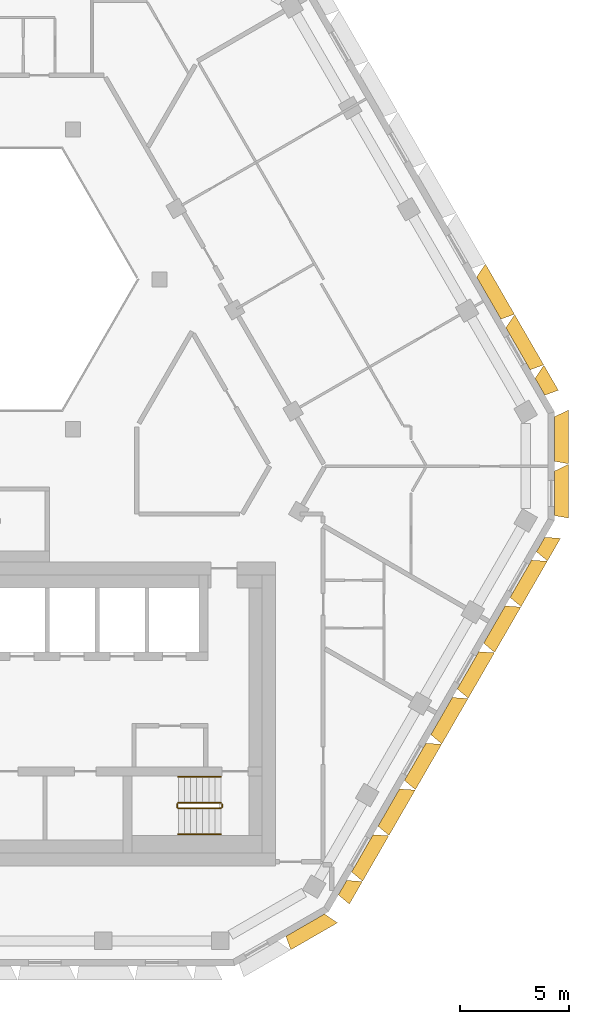
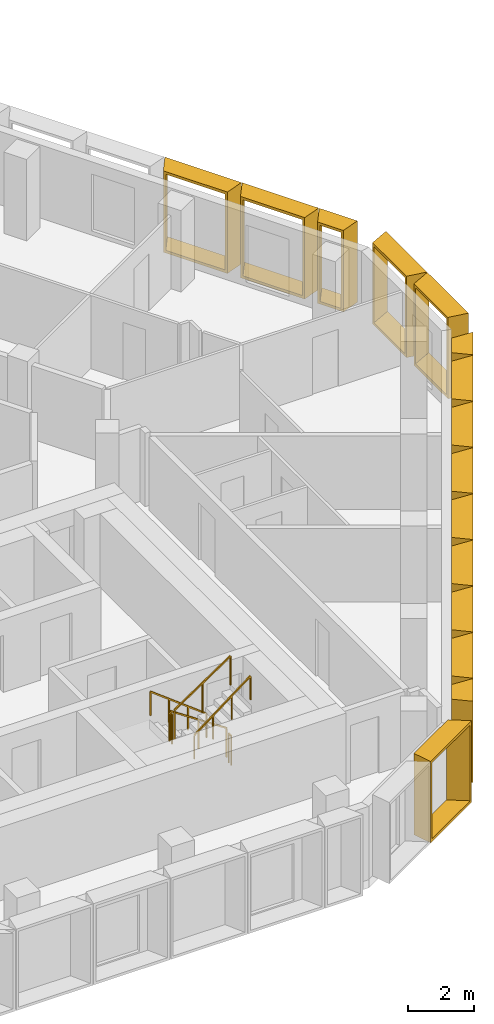
# One storey, part 14 of 15: 15 shading devices, 6 railings.
"""IFC4 building model written with IfcOpenShell, lengths in metres."""

from ifc_helpers import new_model, entity, si_unit, direction, frame, origin, origin_2d, place, context, subcontext, project, spatial, rectangle, extrude, source, transform, mapped, material, type_object, type_shapes, element, save


model = new_model("IFC4")

# Units and contexts
model_context = context("Model", 3, precision=1e-05, world=origin(), true_north=direction((0.0, 1.0)))
body_context = subcontext(model_context, "Body", "Model", "MODEL_VIEW")
ifc_project = project(units=[si_unit("LENGTHUNIT", "METRE"), si_unit("AREAUNIT", "SQUARE_METRE"), si_unit("VOLUMEUNIT", "CUBIC_METRE"), si_unit("PLANEANGLEUNIT", "RADIAN"), si_unit("MASSUNIT", "GRAM", prefix="KILO")], contexts=[model_context])

# Site, building, storey
site_placement = place(None, origin())
site = spatial("IfcSite", under=ifc_project, at=site_placement, CompositionType="ELEMENT")
building_placement = place(site_placement, origin())
building = spatial("IfcBuilding", under=site, at=building_placement, Name="Beryl Residences", CompositionType="ELEMENT")
storey_placement = place(building_placement, frame((0.0, 0.0, 163.199951171875)))
storey = spatial("IfcBuildingStorey", under=building, at=storey_placement, Name="L49", CompositionType="ELEMENT", Elevation=163.199951171875)

# Shading devices
ifc_material_1 = material(Name="Aluminium pale anodised", Category="aluminium")
shading_device_type_1 = type_object("IfcShadingDeviceType", Name="FR122-65C OUTER SKIN frame 650 mm deep, splay 10/26 deg, 1220 x 3000 mm cell", PredefinedType="USERDEFINED", material=ifc_material_1)
cartesian_point_1 = entity("IfcCartesianPoint", [-0.384033203125, 0.0])
cartesian_point_2 = entity("IfcCartesianPoint", [-0.302734375, 0.10009765625])
cartesian_point_3 = entity("IfcCartesianPoint", [-0.49853515625, 0.0])
cartesian_point_4 = entity("IfcCartesianPoint", [-0.41748046875, 0.10009765625])
shared_shape_1 = source(origin(), body_context, "Body", "SweptSolid", [
    entity("IfcExtrudedAreaSolidTapered", entity("IfcArbitraryProfileDefWithVoids", "AREA", None, entity("IfcPolyline", [cartesian_point_1, entity("IfcCartesianPoint", [0.384033203125, 0.0]), entity("IfcCartesianPoint", [0.384033203125, 3.0]), entity("IfcCartesianPoint", [-0.384033203125, 3.0]), cartesian_point_1]), [entity("IfcPolyline", [cartesian_point_2, entity("IfcCartesianPoint", [0.294921875, 0.10009765625]), entity("IfcCartesianPoint", [0.294921875, 2.89990234375]), entity("IfcCartesianPoint", [-0.302734375, 2.89990234375]), cartesian_point_2])]), entity("IfcAxis2Placement3D", entity("IfcCartesianPoint", [0.0, 0.0, 0.0]), entity("IfcDirection", [0.0, 1.0, 0.0]), entity("IfcDirection", [-1.0, 0.0, 0.0])), entity("IfcDirection", [0.0, 0.0, 1.0]), 0.64990234375, entity("IfcArbitraryProfileDefWithVoids", "AREA", None, entity("IfcPolyline", [cartesian_point_3, entity("IfcCartesianPoint", [0.700927734375, 0.0]), entity("IfcCartesianPoint", [0.700927734375, 3.0]), entity("IfcCartesianPoint", [-0.49853515625, 3.0]), cartesian_point_3]), [entity("IfcPolyline", [cartesian_point_4, entity("IfcCartesianPoint", [0.612060546875, 0.10009765625]), entity("IfcCartesianPoint", [0.612060546875, 2.89990234375]), entity("IfcCartesianPoint", [-0.41748046875, 2.89990234375]), cartesian_point_4])])),
])
type_shapes(shading_device_type_1, [shared_shape_1])
for number, where, z_axis, x_axis, name in (
    (1, (16.39697265625, -19.9990234375, 0.0), (0.0, 0.0, 1.0), (-0.5, -0.866025403784, 0.0), "FR122-65C frame L49 SE 1"),
    (2, (25.51611328125, -4.202880859375, 0.0), (0.0, 0.0, 1.0), (-0.5, -0.866025403784, 0.0), "FR122-65C frame L49 SE 9"),
):
    element("IfcShadingDevice", number, at=place(storey_placement, frame(where, z_axis=z_axis, x_axis=x_axis)), inside=storey, type_object=shading_device_type_1, Name=name, ObjectType="OUTER SKIN", PredefinedType="USERDEFINED", context=body_context, shape_type="MappedRepresentation", body=[
        mapped(shared_shape_1, transform((0.0, 0.0, 0.0))),
    ])
ifc_material_2 = material(Name="Aluminium pale anodised", Category="aluminium")
shading_device_type_2 = type_object("IfcShadingDeviceType", Name="FR135-65C OUTER SKIN frame 650 mm deep, splay 10/26 deg, 1350 x 3000 mm cell", PredefinedType="USERDEFINED", material=ifc_material_2)
cartesian_point_5 = entity("IfcCartesianPoint", [-0.448974609375, 0.0])
cartesian_point_6 = entity("IfcCartesianPoint", [-0.36767578125, 0.10009765625])
cartesian_point_7 = entity("IfcCartesianPoint", [-0.563720703125, 0.0])
cartesian_point_8 = entity("IfcCartesianPoint", [-0.482421875, 0.10009765625])
shared_shape_2 = source(origin(), body_context, "Body", "SweptSolid", [
    entity("IfcExtrudedAreaSolidTapered", entity("IfcArbitraryProfileDefWithVoids", "AREA", None, entity("IfcPolyline", [cartesian_point_5, entity("IfcCartesianPoint", [0.448974609375, 0.0]), entity("IfcCartesianPoint", [0.448974609375, 3.0]), entity("IfcCartesianPoint", [-0.448974609375, 3.0]), cartesian_point_5]), [entity("IfcPolyline", [cartesian_point_6, entity("IfcCartesianPoint", [0.360107421875, 0.10009765625]), entity("IfcCartesianPoint", [0.360107421875, 2.89990234375]), entity("IfcCartesianPoint", [-0.36767578125, 2.89990234375]), cartesian_point_6])]), entity("IfcAxis2Placement3D", entity("IfcCartesianPoint", [0.0, 0.0, 0.0]), entity("IfcDirection", [0.0, 1.0, 0.0]), entity("IfcDirection", [-1.0, 0.0, 0.0])), entity("IfcDirection", [0.0, 0.0, 1.0]), 0.64990234375, entity("IfcArbitraryProfileDefWithVoids", "AREA", None, entity("IfcPolyline", [cartesian_point_7, entity("IfcCartesianPoint", [0.76611328125, 0.0]), entity("IfcCartesianPoint", [0.76611328125, 3.0]), entity("IfcCartesianPoint", [-0.563720703125, 3.0]), cartesian_point_7]), [entity("IfcPolyline", [cartesian_point_8, entity("IfcCartesianPoint", [0.677001953125, 0.10009765625]), entity("IfcCartesianPoint", [0.677001953125, 2.89990234375]), entity("IfcCartesianPoint", [-0.482421875, 2.89990234375]), cartesian_point_8])])),
])
type_shapes(shading_device_type_2, [shared_shape_2])
shading_device_placement = place(storey_placement, frame((25.485107421875, 3.056884765625, 0.0), z_axis=(0.0, 0.0, 1.0), x_axis=(0.5, -0.866025403784, 0.0)))
element("IfcShadingDevice", 3, at=shading_device_placement, inside=storey, type_object=shading_device_type_2, Name="FR135-65C frame L49 NE 1", ObjectType="OUTER SKIN", PredefinedType="USERDEFINED", context=body_context, shape_type="MappedRepresentation", body=[
    mapped(shared_shape_2, transform((0.0, 0.0, 0.0))),
])
ifc_material_3 = material(Name="Aluminium pale anodised", Category="aluminium")
shading_device_type_3 = type_object("IfcShadingDeviceType", Name="FR243-65C OUTER SKIN frame 650 mm deep, splay 10/26 deg, 2430 x 3000 mm cell", PredefinedType="USERDEFINED", material=ifc_material_3)
cartesian_point_9 = entity("IfcCartesianPoint", [-0.989013671875, 0.0])
cartesian_point_10 = entity("IfcCartesianPoint", [-0.90771484375, 0.10009765625])
cartesian_point_11 = entity("IfcCartesianPoint", [-1.103515625, 0.0])
cartesian_point_12 = entity("IfcCartesianPoint", [-1.0224609375, 0.10009765625])
shared_shape_3 = source(origin(), body_context, "Body", "SweptSolid", [
    entity("IfcExtrudedAreaSolidTapered", entity("IfcArbitraryProfileDefWithVoids", "AREA", None, entity("IfcPolyline", [cartesian_point_9, entity("IfcCartesianPoint", [0.989013671875, 0.0]), entity("IfcCartesianPoint", [0.989013671875, 3.0]), entity("IfcCartesianPoint", [-0.989013671875, 3.0]), cartesian_point_9]), [entity("IfcPolyline", [cartesian_point_10, entity("IfcCartesianPoint", [0.89990234375, 0.10009765625]), entity("IfcCartesianPoint", [0.89990234375, 2.89990234375]), entity("IfcCartesianPoint", [-0.90771484375, 2.89990234375]), cartesian_point_10])]), entity("IfcAxis2Placement3D", entity("IfcCartesianPoint", [0.0, 0.0, 0.0]), entity("IfcDirection", [0.0, 1.0, 0.0]), entity("IfcDirection", [-1.0, 0.0, 0.0])), entity("IfcDirection", [0.0, 0.0, 1.0]), 0.64990234375, entity("IfcArbitraryProfileDefWithVoids", "AREA", None, entity("IfcPolyline", [cartesian_point_11, entity("IfcCartesianPoint", [1.305908203125, 0.0]), entity("IfcCartesianPoint", [1.305908203125, 3.0]), entity("IfcCartesianPoint", [-1.103515625, 3.0]), cartesian_point_11]), [entity("IfcPolyline", [cartesian_point_12, entity("IfcCartesianPoint", [1.217041015625, 0.10009765625]), entity("IfcCartesianPoint", [1.217041015625, 2.89990234375]), entity("IfcCartesianPoint", [-1.0224609375, 2.89990234375]), cartesian_point_12])])),
])
type_shapes(shading_device_type_3, [shared_shape_3])
for number, where, z_axis, x_axis, name in (
    (4, (17.30908203125, -18.4189453125, 0.0), (0.0, 0.0, 1.0), (-0.5, -0.866025403784, 0.0), "FR243-65C frame L49 SE 2"),
    (5, (18.52490234375, -16.31298828125, 0.0), (0.0, 0.0, 1.0), (-0.5, -0.866025403784, 0.0), "FR243-65C frame L49 SE 3"),
    (6, (19.740966796875, -14.20703125, 0.0), (0.0, 0.0, 1.0), (-0.5, -0.866025403784, 0.0), "FR243-65C frame L49 SE 4"),
    (7, (20.95703125, -12.10107421875, 0.0), (0.0, 0.0, 1.0), (-0.5, -0.866025403784, 0.0), "FR243-65C frame L49 SE 5"),
    (8, (22.172119140625, -9.9951171875, 0.0), (0.0, 0.0, 1.0), (-0.5, -0.866025403784, 0.0), "FR243-65C frame L49 SE 6"),
    (9, (23.387939453125, -7.888916015625, 0.0), (0.0, 0.0, 1.0), (-0.5, -0.866025403784, 0.0), "FR243-65C frame L49 SE 7"),
    (10, (24.60400390625, -5.781982421875, 0.0), (0.0, 0.0, 1.0), (-0.5, -0.866025403784, 0.0), "FR243-65C frame L49 SE 8"),
):
    element("IfcShadingDevice", number, at=place(storey_placement, frame(where, z_axis=z_axis, x_axis=x_axis)), inside=storey, type_object=shading_device_type_3, Name=name, ObjectType="OUTER SKIN", PredefinedType="USERDEFINED", context=body_context, shape_type="MappedRepresentation", body=[
        mapped(shared_shape_3, transform((0.0, 0.0, 0.0))),
    ])
ifc_material_4 = material(Name="Aluminium pale anodised", Category="aluminium")
shading_device_type_4 = type_object("IfcShadingDeviceType", Name="FR250-65C OUTER SKIN frame 650 mm deep, splay 10/26 deg, 2500 x 3000 mm cell", PredefinedType="USERDEFINED", material=ifc_material_4)
cartesian_point_13 = entity("IfcCartesianPoint", [-1.02392578125, 0.0])
cartesian_point_14 = entity("IfcCartesianPoint", [-0.94287109375, 0.10009765625])
cartesian_point_15 = entity("IfcCartesianPoint", [-1.138671875, 0.0])
cartesian_point_16 = entity("IfcCartesianPoint", [-1.057373046875, 0.10009765625])
shared_shape_4 = source(origin(), body_context, "Body", "SweptSolid", [
    entity("IfcExtrudedAreaSolidTapered", entity("IfcArbitraryProfileDefWithVoids", "AREA", None, entity("IfcPolyline", [cartesian_point_13, entity("IfcCartesianPoint", [1.02392578125, 0.0]), entity("IfcCartesianPoint", [1.02392578125, 3.0]), entity("IfcCartesianPoint", [-1.02392578125, 3.0]), cartesian_point_13]), [entity("IfcPolyline", [cartesian_point_14, entity("IfcCartesianPoint", [0.93505859375, 0.10009765625]), entity("IfcCartesianPoint", [0.93505859375, 2.89990234375]), entity("IfcCartesianPoint", [-0.94287109375, 2.89990234375]), cartesian_point_14])]), entity("IfcAxis2Placement3D", entity("IfcCartesianPoint", [0.0, 0.0, 0.0]), entity("IfcDirection", [0.0, 1.0, 0.0]), entity("IfcDirection", [-1.0, 0.0, 0.0])), entity("IfcDirection", [0.0, 0.0, 1.0]), 0.64990234375, entity("IfcArbitraryProfileDefWithVoids", "AREA", None, entity("IfcPolyline", [cartesian_point_15, entity("IfcCartesianPoint", [1.341064453125, 0.0]), entity("IfcCartesianPoint", [1.341064453125, 3.0]), entity("IfcCartesianPoint", [-1.138671875, 3.0]), cartesian_point_15]), [entity("IfcPolyline", [cartesian_point_16, entity("IfcCartesianPoint", [1.251953125, 0.10009765625]), entity("IfcCartesianPoint", [1.251953125, 2.89990234375]), entity("IfcCartesianPoint", [-1.057373046875, 2.89990234375]), cartesian_point_16])])),
])
type_shapes(shading_device_type_4, [shared_shape_4])
for number, where, z_axis, x_axis, name in (
    (11, (14.677978515625, -21.72509765625, 0.0), (0.0, 0.0, 1.0), (-0.866025403784, -0.5, 0.0), "FR250-65C frame L49 S-SE 2"),
    (12, (26.154052734375, -1.85009765625, 0.0), (0.0, 0.0, 1.0), (0.0, -1.0, 0.0), "FR250-65C frame L49 SE-NE 1"),
    (13, (26.154052734375, 0.64990234375, 0.0), (0.0, 0.0, 1.0), (0.0, -1.0, 0.0), "FR250-65C frame L49 SE-NE 2"),
):
    element("IfcShadingDevice", number, at=place(storey_placement, frame(where, z_axis=z_axis, x_axis=x_axis)), inside=storey, type_object=shading_device_type_4, Name=name, ObjectType="OUTER SKIN", PredefinedType="USERDEFINED", context=body_context, shape_type="MappedRepresentation", body=[
        mapped(shared_shape_4, transform((0.0, 0.0, 0.0))),
    ])
ifc_material_5 = material(Name="Aluminium pale anodised", Category="aluminium")
shading_device_type_5 = type_object("IfcShadingDeviceType", Name="FR269-65C OUTER SKIN frame 650 mm deep, splay 10/26 deg, 2690 x 3000 mm cell", PredefinedType="USERDEFINED", material=ifc_material_5)
cartesian_point_17 = entity("IfcCartesianPoint", [-1.118896484375, 0.0])
cartesian_point_18 = entity("IfcCartesianPoint", [-1.037841796875, 0.10009765625])
cartesian_point_19 = entity("IfcCartesianPoint", [-1.233642578125, 0.0])
cartesian_point_20 = entity("IfcCartesianPoint", [-1.15234375, 0.10009765625])
shared_shape_5 = source(origin(), body_context, "Body", "SweptSolid", [
    entity("IfcExtrudedAreaSolidTapered", entity("IfcArbitraryProfileDefWithVoids", "AREA", None, entity("IfcPolyline", [cartesian_point_17, entity("IfcCartesianPoint", [1.118896484375, 0.0]), entity("IfcCartesianPoint", [1.118896484375, 3.0]), entity("IfcCartesianPoint", [-1.118896484375, 3.0]), cartesian_point_17]), [entity("IfcPolyline", [cartesian_point_18, entity("IfcCartesianPoint", [1.030029296875, 0.10009765625]), entity("IfcCartesianPoint", [1.030029296875, 2.89990234375]), entity("IfcCartesianPoint", [-1.037841796875, 2.89990234375]), cartesian_point_18])]), entity("IfcAxis2Placement3D", entity("IfcCartesianPoint", [0.0, 0.0, 0.0]), entity("IfcDirection", [0.0, 1.0, 0.0]), entity("IfcDirection", [-1.0, 0.0, 0.0])), entity("IfcDirection", [0.0, 0.0, 1.0]), 0.64990234375, entity("IfcArbitraryProfileDefWithVoids", "AREA", None, entity("IfcPolyline", [cartesian_point_19, entity("IfcCartesianPoint", [1.43603515625, 0.0]), entity("IfcCartesianPoint", [1.43603515625, 3.0]), entity("IfcCartesianPoint", [-1.233642578125, 3.0]), cartesian_point_19]), [entity("IfcPolyline", [cartesian_point_20, entity("IfcCartesianPoint", [1.346923828125, 0.10009765625]), entity("IfcCartesianPoint", [1.346923828125, 2.89990234375]), entity("IfcCartesianPoint", [-1.15234375, 2.89990234375]), cartesian_point_20])])),
])
type_shapes(shading_device_type_5, [shared_shape_5])
for number, where, z_axis, x_axis, name in (
    (14, (24.47607421875, 4.805908203125, 0.0), (0.0, 0.0, 1.0), (0.5, -0.866025403784, 0.0), "FR269-65C frame L49 NE 2"),
    (15, (23.1298828125, 7.136962890625, 0.0), (0.0, 0.0, 1.0), (0.5, -0.866025403784, 0.0), "FR269-65C frame L49 NE 3"),
):
    element("IfcShadingDevice", number, at=place(storey_placement, frame(where, z_axis=z_axis, x_axis=x_axis)), inside=storey, type_object=shading_device_type_5, Name=name, ObjectType="OUTER SKIN", PredefinedType="USERDEFINED", context=body_context, shape_type="MappedRepresentation", body=[
        mapped(shared_shape_5, transform((0.0, 0.0, 0.0))),
    ])

# Railings
ifc_material_6 = material(Name="Stainless steel balustrade with glass infill", Category="steel")
railing_type_1 = type_object("IfcRailingType", Name="SG1 stair guard 1100 mm", PredefinedType="GUARDRAIL", material=ifc_material_6)
railing_1_placement = place(storey_placement, frame((10.800048828125, -16.10009765625, 0.1875)))
element("IfcRailing", 16, at=railing_1_placement, inside=storey, type_object=railing_type_1, Name="L49 ST-3 stair guard 1", PredefinedType="GUARDRAIL", context=body_context, shape_type="SweptSolid", body=[
    extrude(rectangle(XDim=0.048095703125, YDim=0.048095703125, at=origin_2d()), frame((0.0, 0.0, 1.076171875), z_axis=(-0.830902050051, 0.0, 0.556418712142), x_axis=(0.0, -1.0, 0.0)), (0.0, 0.0, 1.0), 2.35888671875),
    extrude(rectangle(XDim=0.0419921875, YDim=0.0419921875, at=origin_2d()), origin(), (0.0, 0.0, 1.0), 1.052001953125),
    extrude(rectangle(XDim=0.0419921875, YDim=0.0419921875, at=origin_2d()), frame((-0.97998046875, 0.0, 0.65625)), (0.0, 0.0, 1.0), 1.052001953125),
    extrude(rectangle(XDim=0.0419921875, YDim=0.0419921875, at=origin_2d()), frame((-1.9599609375, 0.0, 1.3125)), (0.0, 0.0, 1.0), 1.052001953125),
])
railing_2_placement = place(storey_placement, frame((8.7900390625, -16.14990234375, 1.5)))
element("IfcRailing", 17, at=railing_2_placement, inside=storey, type_object=railing_type_1, Name="L49 ST-3 stair guard 2", PredefinedType="GUARDRAIL", context=body_context, shape_type="SweptSolid", body=[
    extrude(rectangle(XDim=0.048095703125, YDim=0.048095703125, at=origin_2d()), frame((0.0, 0.0, 1.076171875), z_axis=(0.0, -1.0, 0.0), x_axis=(1.0, 0.0, 0.0)), (0.0, 0.0, 1.0), 0.150146484375),
    extrude(rectangle(XDim=0.0419921875, YDim=0.0419921875, at=origin_2d()), origin(), (0.0, 0.0, 1.0), 1.052001953125),
    extrude(rectangle(XDim=0.0419921875, YDim=0.0419921875, at=origin_2d()), frame((0.0, -0.150146484375, 0.0)), (0.0, 0.0, 1.0), 1.052001953125),
])
railing_3_placement = place(storey_placement, frame((8.840087890625, -16.35009765625, 1.6875)))
element("IfcRailing", 18, at=railing_3_placement, inside=storey, type_object=railing_type_1, Name="L49 ST-3 stair guard 3", PredefinedType="GUARDRAIL", context=body_context, shape_type="SweptSolid", body=[
    extrude(rectangle(XDim=0.048095703125, YDim=0.048095703125, at=origin_2d()), frame((0.0, 0.0, 1.076171875), z_axis=(0.830902050051, 0.0, 0.556418712142), x_axis=(0.0, 1.0, 0.0)), (0.0, 0.0, 1.0), 2.35888671875),
    extrude(rectangle(XDim=0.0419921875, YDim=0.0419921875, at=origin_2d()), origin(), (0.0, 0.0, 1.0), 1.052001953125),
    extrude(rectangle(XDim=0.0419921875, YDim=0.0419921875, at=origin_2d()), frame((0.97998046875, 0.0, 0.65625)), (0.0, 0.0, 1.0), 1.052001953125),
    extrude(rectangle(XDim=0.0419921875, YDim=0.0419921875, at=origin_2d()), frame((1.9599609375, 0.0, 1.3125)), (0.0, 0.0, 1.0), 1.052001953125),
])
railing_4_placement = place(storey_placement, frame((10.85009765625, -16.14990234375, 0.0)))
element("IfcRailing", 19, at=railing_4_placement, inside=storey, type_object=railing_type_1, Name="L49 ST-3 stair guard 4", PredefinedType="GUARDRAIL", context=body_context, shape_type="SweptSolid", body=[
    extrude(rectangle(XDim=0.048095703125, YDim=0.048095703125, at=origin_2d()), frame((0.0, 0.0, 1.076171875), z_axis=(0.0, -1.0, 0.0), x_axis=(1.0, 0.0, 0.0)), (0.0, 0.0, 1.0), 0.150146484375),
    extrude(rectangle(XDim=0.0419921875, YDim=0.0419921875, at=origin_2d()), origin(), (0.0, 0.0, 1.0), 1.052001953125),
    extrude(rectangle(XDim=0.0419921875, YDim=0.0419921875, at=origin_2d()), frame((0.0, -0.150146484375, 0.0)), (0.0, 0.0, 1.0), 1.052001953125),
])
ifc_material_7 = material(Name="Stainless steel handrail", Category="steel")
railing_type_2 = type_object("IfcRailingType", Name="SRL1 stair handrail 900 mm", PredefinedType="HANDRAIL", material=ifc_material_7)
railing_5_placement = place(storey_placement, frame((10.800048828125, -14.89990234375, 0.1875)))
element("IfcRailing", 20, at=railing_5_placement, inside=storey, type_object=railing_type_2, Name="L49 ST-3 stair handrail 1", PredefinedType="HANDRAIL", context=body_context, shape_type="SweptSolid", body=[
    extrude(rectangle(XDim=0.048095703125, YDim=0.048095703125, at=origin_2d()), frame((0.0, 0.0, 0.8759765625), z_axis=(-0.794121922505, 0.0, 0.607758481798), x_axis=(0.0, -1.0, 0.0)), (0.0, 0.0, 1.0), 2.468017578125),
    extrude(rectangle(XDim=0.0419921875, YDim=0.0419921875, at=origin_2d()), origin(), (0.0, 0.0, 1.0), 0.851806640625),
    extrude(rectangle(XDim=0.0419921875, YDim=0.0419921875, at=origin_2d()), frame((-0.6533203125, 0.0, 0.5)), (0.0, 0.0, 1.0), 0.851806640625),
    extrude(rectangle(XDim=0.0419921875, YDim=0.0419921875, at=origin_2d()), frame((-1.306640625, 0.0, 1.0)), (0.0, 0.0, 1.0), 0.851806640625),
    extrude(rectangle(XDim=0.0419921875, YDim=0.0419921875, at=origin_2d()), frame((-1.9599609375, 0.0, 1.5)), (0.0, 0.0, 1.0), 0.851806640625),
])
railing_6_placement = place(storey_placement, frame((8.840087890625, -17.550048828125, 1.6875)))
element("IfcRailing", 21, at=railing_6_placement, inside=storey, type_object=railing_type_2, Name="L49 ST-3 stair handrail 2", PredefinedType="HANDRAIL", context=body_context, shape_type="SweptSolid", body=[
    extrude(rectangle(XDim=0.048095703125, YDim=0.048095703125, at=origin_2d()), frame((0.0, 0.0, 0.8759765625), z_axis=(0.794121922505, 0.0, 0.607758481798), x_axis=(0.0, 1.0, 0.0)), (0.0, 0.0, 1.0), 2.468017578125),
    extrude(rectangle(XDim=0.0419921875, YDim=0.0419921875, at=origin_2d()), origin(), (0.0, 0.0, 1.0), 0.851806640625),
    extrude(rectangle(XDim=0.0419921875, YDim=0.0419921875, at=origin_2d()), frame((0.6533203125, 0.0, 0.5)), (0.0, 0.0, 1.0), 0.851806640625),
    extrude(rectangle(XDim=0.0419921875, YDim=0.0419921875, at=origin_2d()), frame((1.306640625, 0.0, 1.0)), (0.0, 0.0, 1.0), 0.851806640625),
    extrude(rectangle(XDim=0.0419921875, YDim=0.0419921875, at=origin_2d()), frame((1.9599609375, 0.0, 1.5)), (0.0, 0.0, 1.0), 0.851806640625),
])

save(model, "model.ifc")
